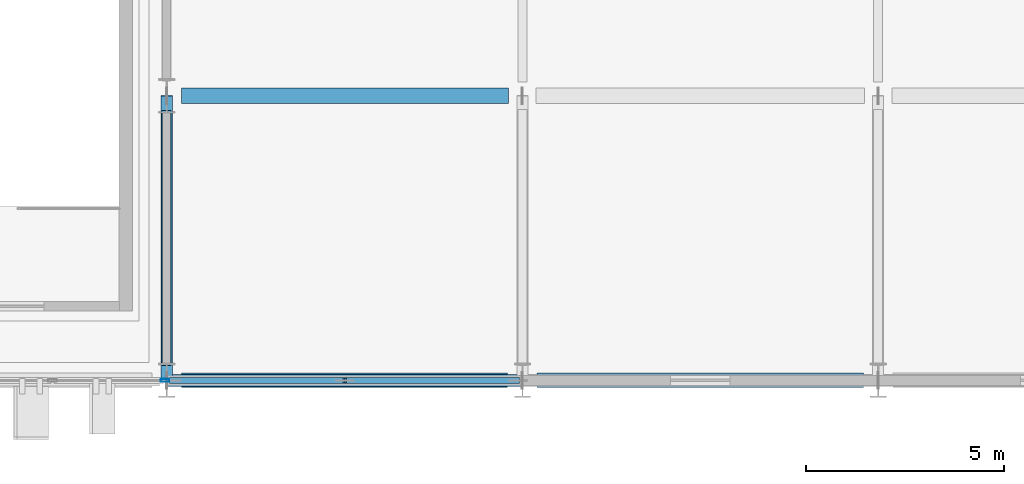
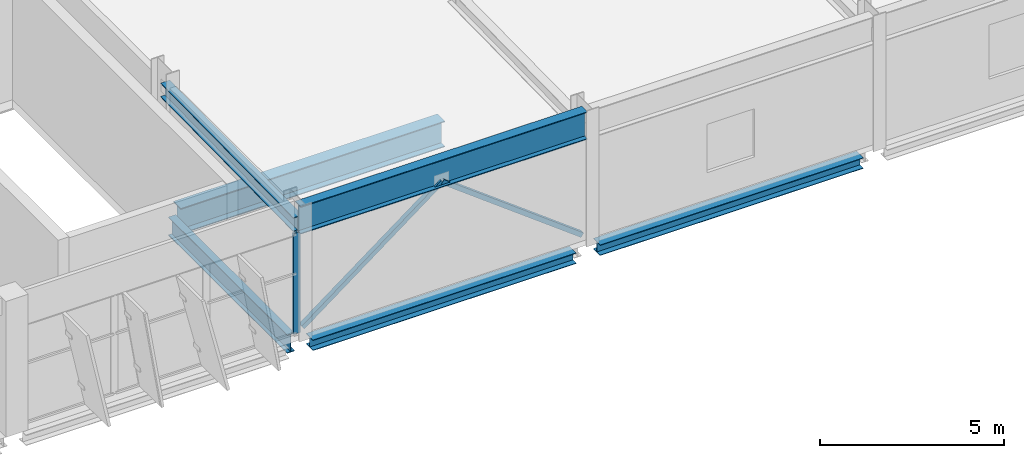
# One storey, part 41 of 151: 5 beams, 4 members, 1 element without a shape of its own.
"""IFC4 building model written with IfcOpenShell, lengths in metres."""

from ifc_helpers import new_model, si_unit, direction, frame, origin, origin_2d, place, context, subcontext, project, spatial, hollow_rectangle, i_section, extrude, material, layer, layer_set, material_profile, profile_set, type_object, element, aggregate, save


model = new_model("IFC4")

# Units and contexts
model_context = context("Model", 3, precision=1e-05, world=origin(), true_north=direction((0.0, 1.0)))
body_context = subcontext(model_context, "Body", "Model", "MODEL_VIEW")
ifc_project = project(units=[si_unit("LENGTHUNIT", "METRE"), si_unit("AREAUNIT", "SQUARE_METRE"), si_unit("VOLUMEUNIT", "CUBIC_METRE"), si_unit("PLANEANGLEUNIT", "RADIAN"), si_unit("MASSUNIT", "GRAM", prefix="KILO")], contexts=[model_context])

# Site, building, storey
site_placement = place(None, origin())
site = spatial("IfcSite", under=ifc_project, at=site_placement, CompositionType="ELEMENT")
building_placement = place(site_placement, origin())
building = spatial("IfcBuilding", under=site, at=building_placement, Name="Celestram Park Convention Centre", CompositionType="ELEMENT")
storey_placement = place(building_placement, frame((0.0, 0.0, 10.800048828125)))
storey = spatial("IfcBuildingStorey", under=building, at=storey_placement, Name="L02", CompositionType="ELEMENT", Elevation=10.800048828125)

# Curtain wall, member
ifc_material_1 = material(Name="Anodised Aluminium Alloy 6063-T6", Category="aluminium")
ifc_layer = layer(ifc_material_1, 0.179931640625)
ifc_layer_set = layer_set([ifc_layer], Name="Anodised Aluminium Alloy 6063-T6")
curtain_wall_type = type_object("IfcCurtainWallType", Name="ARC-CW-864X334", PredefinedType="NOTDEFINED", material=ifc_layer_set)
curtain_wall_placement = place(storey_placement, origin())
curtain_wall = element("IfcCurtainWall", 1, at=curtain_wall_placement, inside=storey, type_object=curtain_wall_type, Name="Unitised curtain wall CU-L02-137", PredefinedType="NOTDEFINED")
ifc_material_profile_1 = material_profile(ifc_material_1, hollow_rectangle(XDim=0.074951171875, YDim=0.219970703125, WallThickness=0.00390625, at=origin_2d()), Name="ALU75X220X4")
ifc_profile_set_1 = profile_set([ifc_material_profile_1], Name="Anodised Aluminium Alloy 6063-T6")
member_type_1 = type_object("IfcMemberType", Name="ARC-CWM-180", PredefinedType="MULLION", material=ifc_profile_set_1)
member_1_placement = place(storey_placement, frame((161.955322265625, 0.0, 0.0), z_axis=(0.0, 0.0, 1.0), x_axis=(0.0, -1.0, 0.0)))
member_1 = element("IfcMember", 2, at=member_1_placement, type_object=member_type_1, Name="CW-86X33 mullion 1", PredefinedType="MULLION", context=body_context, shape_type="SweptSolid", body=[
    extrude(hollow_rectangle(XDim=0.074951171875, YDim=0.219970703125, WallThickness=0.00390625, at=origin_2d()), origin(), (0.0, 0.0, 1.0), 3.3359375),
])
aggregate(curtain_wall, [member_1])

# Beams
ifc_material_2 = material(Name="Steel ASTM A992 Grade 50", Category="steel")
ifc_material_profile_2 = material_profile(ifc_material_2, i_section(OverallWidth=0.22900390625, OverallDepth=0.612060546875, WebThickness=0.011962890625, FlangeThickness=0.01953125, at=origin_2d()), Name="W24X84")
ifc_profile_set_2 = profile_set([ifc_material_profile_2], Name="Steel ASTM A992 Grade 50")
beam_type_1 = type_object("IfcBeamType", Name="STR-BM-W24X84", PredefinedType="BEAM", material=ifc_profile_set_2)
beam_1_placement = place(storey_placement, frame((162.0, 0.373046875, -0.5859375), z_axis=(0.0, 1.0, 0.0), x_axis=(-1.0, 0.0, 0.0)))
element("IfcBeam", 3, at=beam_1_placement, inside=storey, type_object=beam_type_1, Name="Primary Y-girder BG-L02-0285", PredefinedType="BEAM", context=body_context, shape_type="SweptSolid", body=[
    extrude(i_section(OverallWidth=0.22900390625, OverallDepth=0.612060546875, WebThickness=0.011962890625, FlangeThickness=0.01953125, at=origin_2d()), origin(), (0.0, 0.0, 1.0), 6.453857421875),
])
ifc_material_profile_3 = material_profile(ifc_material_2, i_section(OverallWidth=0.40087890625, OverallDepth=0.85595703125, WebThickness=0.018310546875, FlangeThickness=0.029296875, at=origin_2d()), Name="W33X201")
ifc_profile_set_3 = profile_set([ifc_material_profile_3], Name="Steel ASTM A992 Grade 50")
beam_type_2 = type_object("IfcBeamType", Name="STR-BM-W33X201", PredefinedType="BEAM", material=ifc_profile_set_3)
beam_2_placement = place(storey_placement, frame((162.373046875, 7.199951171875, -0.7080078125), z_axis=(1.0, 0.0, 0.0), x_axis=(0.0, 1.0, 0.0)))
element("IfcBeam", 4, at=beam_2_placement, inside=storey, type_object=beam_type_2, Name="Primary X-girder BG-L02-0286", PredefinedType="BEAM", context=body_context, shape_type="SweptSolid", body=[
    extrude(i_section(OverallWidth=0.40087890625, OverallDepth=0.85595703125, WebThickness=0.018310546875, FlangeThickness=0.029296875, at=origin_2d()), origin(), (0.0, 0.0, 1.0), 8.279052734375),
])
ifc_material_profile_4 = material_profile(ifc_material_2, i_section(OverallWidth=0.304931640625, OverallDepth=0.9140625, WebThickness=0.0166015625, FlangeThickness=0.02587890625, at=origin_2d()), Name="W36X160")
ifc_profile_set_4 = profile_set([ifc_material_profile_4], Name="Steel ASTM A992 Grade 50")
beam_type_3 = type_object("IfcBeamType", Name="STR-BM-W36X160", PredefinedType="BEAM", material=ifc_profile_set_4)
beam_3_placement = place(storey_placement, frame((162.007080078125, 0.0, 3.79296875), z_axis=(1.0, 0.0, 0.0), x_axis=(0.0, 1.0, 0.0)))
element("IfcBeam", 5, at=beam_3_placement, inside=storey, type_object=beam_type_3, Name="Ballroom eaves girder BG-L02-0404", PredefinedType="BEAM", context=body_context, shape_type="SweptSolid", body=[
    extrude(i_section(OverallWidth=0.304931640625, OverallDepth=0.9140625, WebThickness=0.0166015625, FlangeThickness=0.02587890625, at=origin_2d()), origin(), (0.0, 0.0, 1.0), 8.98583984375),
])

# Members
ifc_material_3 = material(Name="Steel ASTM A500 Grade C", Category="steel")
ifc_material_profile_5 = material_profile(ifc_material_3, hollow_rectangle(XDim=0.14990234375, YDim=0.14990234375, WallThickness=0.008056640625, at=origin_2d()), Name="HSS150X150X8")
ifc_profile_set_5 = profile_set([ifc_material_profile_5], Name="Steel ASTM A500 Grade C")
member_type_2 = type_object("IfcMemberType", Name="STR-BRC-HSS150", PredefinedType="BRACE", material=ifc_profile_set_5)
for number, where, z_axis, x_axis, name in (
    (6, (162.1201171875, 0.0, 0.14990234375), (0.798673160373, 0.0, 0.60176505623), (0.0, 1.0, 0.0), "Chevron braced-frame diagonal BF-L02-021"),
    (7, (170.8798828125, 0.0, 0.14990234375), (-0.798673160373, 0.0, 0.60176505623), (0.0, -1.0, 0.0), "Chevron braced-frame diagonal BF-L02-022"),
):
    element("IfcMember", number, at=place(storey_placement, frame(where, z_axis=z_axis, x_axis=x_axis)), inside=storey, type_object=member_type_2, Name=name, PredefinedType="BRACE", context=body_context, shape_type="SweptSolid", body=[
        extrude(hollow_rectangle(XDim=0.14990234375, YDim=0.14990234375, WallThickness=0.008056640625, at=origin_2d()), origin(), (0.0, 0.0, 1.0), 5.48388671875),
    ])
ifc_material_profile_6 = material_profile(ifc_material_2, i_section(OverallWidth=0.281982421875, OverallDepth=0.467041015625, WebThickness=0.01220703125, FlangeThickness=0.01953125, at=origin_2d()), Name="W18X86")
ifc_profile_set_6 = profile_set([ifc_material_profile_6], Name="Steel ASTM A992 Grade 50")
member_type_3 = type_object("IfcMemberType", Name="STR-CHD-W18X86", PredefinedType="CHORD", material=ifc_profile_set_6)
member_2_placement = place(storey_placement, frame((162.0, 0.0, 3.60791015625), z_axis=(0.0, 0.999903373607, 0.013901203187), x_axis=(-1.0, 0.0, 0.0)))
element("IfcMember", 8, at=member_2_placement, inside=storey, type_object=member_type_3, Name="V3 arch bottom chord", PredefinedType="CHORD", context=body_context, shape_type="SweptSolid", body=[
    extrude(i_section(OverallWidth=0.281982421875, OverallDepth=0.467041015625, WebThickness=0.01220703125, FlangeThickness=0.01953125, at=origin_2d()), origin(), (0.0, 0.0, 1.0), 7.20068359375),
])

# Beams
ifc_material_profile_7 = material_profile(ifc_material_2, i_section(OverallWidth=0.367919921875, OverallDepth=0.35595703125, WebThickness=0.01123046875, FlangeThickness=0.01806640625, at=origin_2d()), Name="W14X90")
ifc_profile_set_7 = profile_set([ifc_material_profile_7], Name="Steel ASTM A992 Grade 50")
beam_type_4 = type_object("IfcBeamType", Name="STR-SPN-W14X90", PredefinedType="SPANDREL", material=ifc_profile_set_7)
for number, where, z_axis, x_axis, name in (
    (9, (162.373046875, 0.0, -0.4580078125), (1.0, 0.0, 0.0), (0.0, 1.0, 0.0), "Primary X-girder BG-L02-0284"),
    (10, (171.373046875, 0.0, -0.4580078125), (1.0, 0.0, 0.0), (0.0, 1.0, 0.0), "Primary X-girder BG-L02-0297"),
):
    element("IfcBeam", number, at=place(storey_placement, frame(where, z_axis=z_axis, x_axis=x_axis)), inside=storey, type_object=beam_type_4, Name=name, PredefinedType="SPANDREL", context=body_context, shape_type="SweptSolid", body=[
        extrude(i_section(OverallWidth=0.367919921875, OverallDepth=0.35595703125, WebThickness=0.01123046875, FlangeThickness=0.01806640625, at=origin_2d()), origin(), (0.0, 0.0, 1.0), 8.25390625),
    ])

save(model, "model.ifc")
